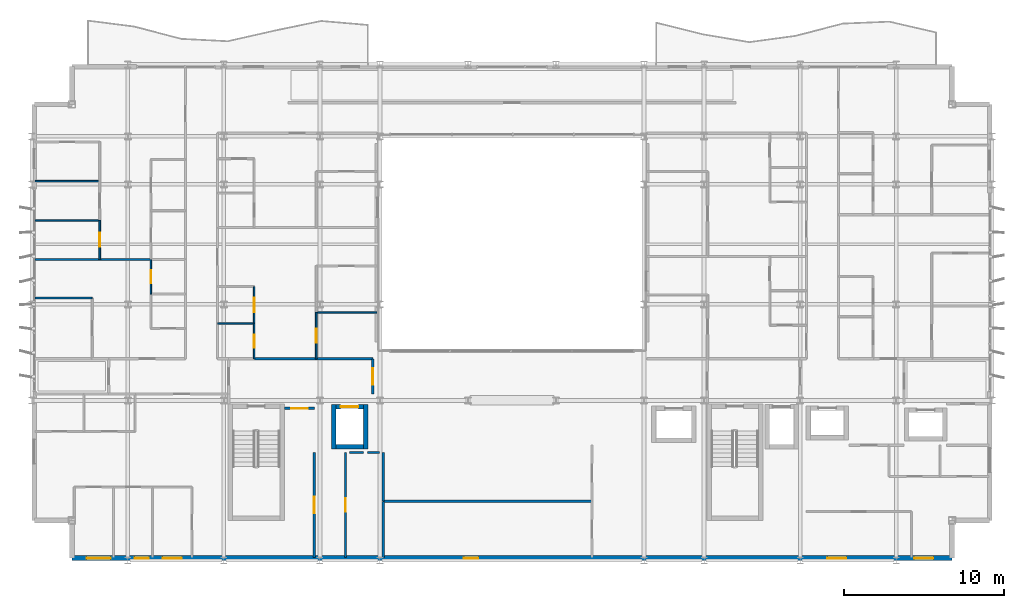
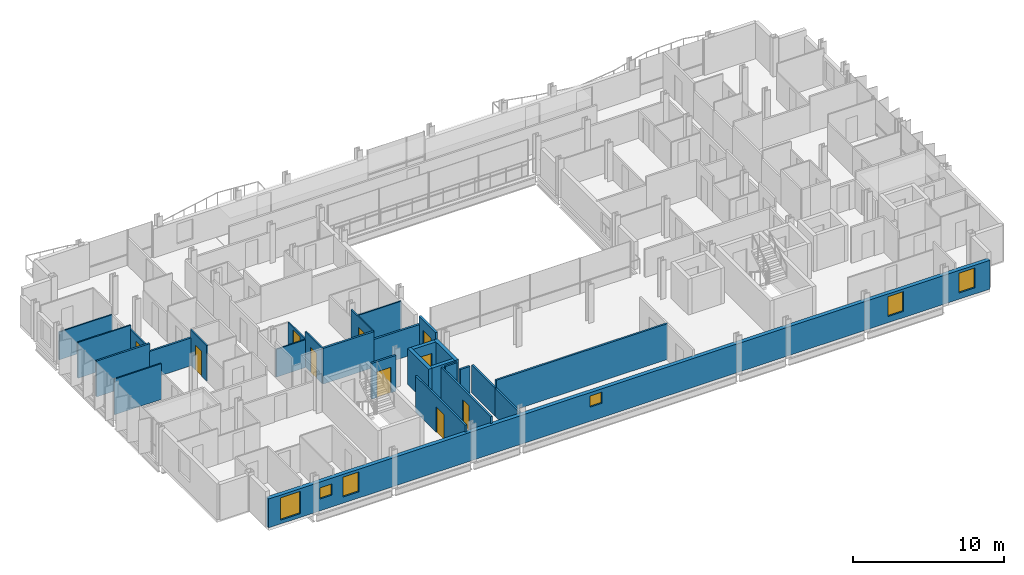
# One storey, part 28 of 38: 28 walls, 10 doors, 6 windows, 16 openings.
"""IFC4 building model written with IfcOpenShell, lengths in metres."""

from ifc_helpers import new_model, si_unit, direction, frame, frame_2d, origin, place, context, subcontext, project, spatial, rectangle, extrude, material, layer, layer_set, type_object, element, fill, save


model = new_model("IFC4")

# Units and contexts
model_context = context("Model", 3, precision=1e-05, world=origin(), true_north=direction((0.0, 1.0)))
body_context = subcontext(model_context, "Body", "Model", "MODEL_VIEW")
ifc_project = project(units=[si_unit("LENGTHUNIT", "METRE"), si_unit("AREAUNIT", "SQUARE_METRE"), si_unit("VOLUMEUNIT", "CUBIC_METRE"), si_unit("PLANEANGLEUNIT", "RADIAN"), si_unit("MASSUNIT", "GRAM", prefix="KILO")], contexts=[model_context])

# Site, building, storey
site_placement = place(None, origin())
site = spatial("IfcSite", under=ifc_project, at=site_placement, CompositionType="ELEMENT")
building_placement = place(site_placement, origin())
building = spatial("IfcBuilding", under=site, at=building_placement, Name="Brevholm Reach", CompositionType="ELEMENT")
storey_placement = place(building_placement, frame((0.0, 0.0, 128.300048828125)))
storey = spatial("IfcBuildingStorey", under=building, at=storey_placement, Name="L38", CompositionType="ELEMENT", Elevation=128.300048828125)

# Walls
ifc_material_1 = material(Name="Concrete C50/60", Category="concrete")
ifc_layer_1 = layer(ifc_material_1, 0.280029296875)
ifc_layer_set_1 = layer_set([ifc_layer_1], Name="Concrete C50/60")
wall_type_1 = type_object("IfcWallType", Name="WAL-COR-280", PredefinedType="SHEAR", material=ifc_layer_set_1)
for number, where, z_axis, x_axis, name in (
    (1, (18.85009765625, 6.9599609375, 0.0), (0.0, 0.0, 1.0), (0.0, 1.0, 0.0), "L38 Lift FFL-1 Shaft Wall W"),
    (2, (20.85009765625, 6.9599609375, 0.0), (0.0, 0.0, 1.0), (0.0, 1.0, 0.0), "L38 Lift FFL-1 Shaft Wall E"),
):
    element("IfcWall", number, at=place(storey_placement, frame(where, z_axis=z_axis, x_axis=x_axis)), inside=storey, type_object=wall_type_1, Name=name, PredefinedType="SHEAR", context=body_context, shape_type="SweptSolid", body=[
        extrude(rectangle(XDim=2.780029296875, YDim=0.280029296875, at=frame_2d((1.39013671875, 0.0))), origin(), (0.0, 0.0, 1.0), 2.8798828125),
    ])
wall_1_placement = place(storey_placement, frame((18.989990234375, 7.10009765625, 0.0), z_axis=(0.0, 0.0, 1.0), x_axis=(1.0, 0.0, 0.0)))
element("IfcWall", 3, at=wall_1_placement, inside=storey, type_object=wall_type_1, Name="L38 Lift FFL-1 Shaft Wall S", PredefinedType="SHEAR", context=body_context, shape_type="SweptSolid", body=[
    extrude(rectangle(XDim=1.719970703125, YDim=0.280029296875, at=frame_2d((0.85986328125, 0.0))), origin(), (0.0, 0.0, 1.0), 2.8798828125),
])

# Wall, opening, door
wall_2_placement = place(storey_placement, frame((18.989990234375, 9.60009765625, 0.0), z_axis=(0.0, 0.0, 1.0), x_axis=(1.0, 0.0, 0.0)))
wall_2 = element("IfcWall", 4, at=wall_2_placement, inside=storey, type_object=wall_type_1, Name="L38 Lift FFL-1 Shaft Wall N", PredefinedType="SHEAR", context=body_context, shape_type="SweptSolid", body=[
    extrude(rectangle(XDim=1.719970703125, YDim=0.280029296875, at=frame_2d((0.85986328125, 0.0))), origin(), (0.0, 0.0, 1.0), 2.8798828125),
])
opening_1_placement = place(wall_2_placement, frame((0.31005859375, 0.0, 0.0)))
opening_1 = element("IfcOpeningElement", 5, at=opening_1_placement, cuts=wall_2, Name="Opening LD-FFL-1", PredefinedType="OPENING", context=body_context, shape_type="SweptSolid", body=[
    extrude(rectangle(XDim=1.10009765625, YDim=2.06005859375, at=frame_2d((0.550048828125, 1.030029296875))), frame((0.0, 0.14990234375, 0.0), z_axis=(0.0, -1.0, 0.0), x_axis=(1.0, 0.0, 0.0)), (0.0, 0.0, 1.0), 0.300048828125),
])
ifc_material_2 = material(Name="Brushed Stainless Steel Fire-Rated Sliding Lift Door", Category="steel")
door_type_1 = type_object("IfcDoorType", Name="DOR-LFT-1100", OperationType="NOTDEFINED", PredefinedType="DOOR", material=ifc_material_2)
door_1_placement = place(opening_1_placement, origin())
door_1 = element("IfcDoor", 6, at=door_1_placement, inside=storey, type_object=door_type_1, Name="L38 Lift FFL-1 Sliding Landing Door", OperationType="SLIDING_TO_RIGHT", OverallHeight=2.06005859375, OverallWidth=1.10009765625, PredefinedType="DOOR", context=body_context, shape_type="SweptSolid", body=[
    extrude(rectangle(XDim=1.10009765625, YDim=2.06005859375, at=frame_2d((0.550048828125, 1.030029296875))), frame((0.0, 0.02490234375, 0.0), z_axis=(0.0, -1.0, 0.0), x_axis=(1.0, 0.0, 0.0)), (0.0, 0.0, 1.0), 0.050048828125),
])
fill(opening_1, door_1)

# Wall, openings, windows
ifc_material_3 = material(Name="Concrete C40/50", Category="concrete")
ifc_layer_2 = layer(ifc_material_3, 0.300048828125)
ifc_layer_set_2 = layer_set([ifc_layer_2], Name="Concrete C40/50")
wall_type_2 = type_object("IfcWallType", Name="WAL-EXT-300", PredefinedType="STANDARD", material=ifc_layer_set_2)
wall_3_placement = place(storey_placement, frame((2.5, 0.14990234375, 0.0), z_axis=(0.0, 0.0, 1.0), x_axis=(1.0, 0.0, 0.0)))
wall_3 = element("IfcWall", 7, at=wall_3_placement, inside=storey, type_object=wall_type_2, Name="L38 Facade Wall WAL-L38-S", PredefinedType="STANDARD", context=body_context, shape_type="SweptSolid", body=[
    extrude(rectangle(XDim=55.0, YDim=0.300048828125, at=frame_2d((27.5, 0.0))), origin(), (0.0, 0.0, 1.0), 2.32177734375),
])
opening_2_placement = place(wall_3_placement, frame((0.919921875, 0.0, 0.302001953125)))
opening_2 = element("IfcOpeningElement", 8, at=opening_2_placement, cuts=wall_3, Name="Opening WN-05", PredefinedType="OPENING", context=body_context, shape_type="SweptSolid", body=[
    extrude(rectangle(XDim=1.5, YDim=1.800048828125, at=frame_2d((0.75, 0.89990234375))), frame((0.0, 0.159912109375, 0.0), z_axis=(0.0, -1.0, 0.0), x_axis=(1.0, 0.0, 0.0)), (0.0, 0.0, 1.0), 0.320068359375),
])
opening_3_placement = place(wall_3_placement, frame((24.5, 0.0, 1.14990234375)))
opening_3 = element("IfcOpeningElement", 9, at=opening_3_placement, cuts=wall_3, Name="Opening WN-09", PredefinedType="OPENING", context=body_context, shape_type="SweptSolid", body=[
    extrude(rectangle(XDim=0.89990234375, YDim=0.89990234375, at=frame_2d((0.449951171875, 0.449951171875))), frame((0.0, 0.159912109375, 0.0), z_axis=(0.0, -1.0, 0.0), x_axis=(1.0, 0.0, 0.0)), (0.0, 0.0, 1.0), 0.320068359375),
])
opening_4_placement = place(wall_3_placement, frame((47.199951171875, 0.0, 0.501953125)))
opening_4 = element("IfcOpeningElement", 10, at=opening_4_placement, cuts=wall_3, Name="Opening WN-08", PredefinedType="OPENING", context=body_context, shape_type="SweptSolid", body=[
    extrude(rectangle(XDim=1.199951171875, YDim=1.60009765625, at=frame_2d((0.60009765625, 0.800048828125))), frame((0.0, 0.159912109375, 0.0), z_axis=(0.0, -1.0, 0.0), x_axis=(1.0, 0.0, 0.0)), (0.0, 0.0, 1.0), 0.320068359375),
])
opening_5_placement = place(wall_3_placement, frame((52.6298828125, 0.0, 0.501953125)))
opening_5 = element("IfcOpeningElement", 11, at=opening_5_placement, cuts=wall_3, Name="Opening WN-08", PredefinedType="OPENING", context=body_context, shape_type="SweptSolid", body=[
    extrude(rectangle(XDim=1.199951171875, YDim=1.60009765625, at=frame_2d((0.60009765625, 0.800048828125))), frame((0.0, 0.159912109375, 0.0), z_axis=(0.0, -1.0, 0.0), x_axis=(1.0, 0.0, 0.0)), (0.0, 0.0, 1.0), 0.320068359375),
])
opening_6_placement = place(wall_3_placement, frame((3.919189453125, 0.0, 0.949951171875)))
opening_6 = element("IfcOpeningElement", 12, at=opening_6_placement, cuts=wall_3, Name="Opening WN-09", PredefinedType="OPENING", context=body_context, shape_type="SweptSolid", body=[
    extrude(rectangle(XDim=0.89990234375, YDim=0.89990234375, at=frame_2d((0.449951171875, 0.449951171875))), frame((0.0, 0.159912109375, 0.0), z_axis=(0.0, -1.0, 0.0), x_axis=(1.0, 0.0, 0.0)), (0.0, 0.0, 1.0), 0.320068359375),
])
opening_7_placement = place(wall_3_placement, frame((5.675048828125, 0.0, 0.501953125)))
opening_7 = element("IfcOpeningElement", 13, at=opening_7_placement, cuts=wall_3, Name="Opening WN-08", PredefinedType="OPENING", context=body_context, shape_type="SweptSolid", body=[
    extrude(rectangle(XDim=1.199951171875, YDim=1.60009765625, at=frame_2d((0.60009765625, 0.800048828125))), frame((0.0, 0.159912109375, 0.0), z_axis=(0.0, -1.0, 0.0), x_axis=(1.0, 0.0, 0.0)), (0.0, 0.0, 1.0), 0.320068359375),
])
ifc_material_4 = material(Name="Dark Anodised Aluminium and Solar-Control IGU Glass", Category="aluminium")
window_type_1 = type_object("IfcWindowType", Name="WIN-POR-0900", PartitioningType="SINGLE_PANEL", PredefinedType="WINDOW", material=ifc_material_4)
window_1_placement = place(opening_3_placement, origin())
window_1 = element("IfcWindow", 14, at=window_1_placement, inside=storey, type_object=window_type_1, Name="L38 Window WIN-L38-S-POR", OverallHeight=0.89990234375, OverallWidth=0.89990234375, PartitioningType="SINGLE_PANEL", PredefinedType="WINDOW", context=body_context, shape_type="SweptSolid", body=[
    extrude(rectangle(XDim=0.89990234375, YDim=0.89990234375, at=frame_2d((0.449951171875, 0.449951171875))), frame((0.0, 0.030029296875, 0.0), z_axis=(0.0, -1.0, 0.0), x_axis=(1.0, 0.0, 0.0)), (0.0, 0.0, 1.0), 0.06005859375),
])
fill(opening_3, window_1)
window_2_placement = place(opening_6_placement, origin())
window_2 = element("IfcWindow", 15, at=window_2_placement, inside=storey, type_object=window_type_1, Name="L38 Bedroom Window 043", OverallHeight=0.89990234375, OverallWidth=0.89990234375, PartitioningType="SINGLE_PANEL", PredefinedType="WINDOW", context=body_context, shape_type="SweptSolid", body=[
    extrude(rectangle(XDim=0.89990234375, YDim=0.89990234375, at=frame_2d((0.449951171875, 0.449951171875))), frame((0.0, 0.030029296875, 0.0), z_axis=(0.0, -1.0, 0.0), x_axis=(1.0, 0.0, 0.0)), (0.0, 0.0, 1.0), 0.06005859375),
])
fill(opening_6, window_2)
ifc_material_5 = material(Name="Dark Anodised Aluminium and Solar-Control IGU Glass", Category="aluminium")
window_type_2 = type_object("IfcWindowType", Name="WIN-RES-1200", PartitioningType="SINGLE_PANEL", PredefinedType="WINDOW", material=ifc_material_5)
window_3_placement = place(opening_4_placement, origin())
window_3 = element("IfcWindow", 16, at=window_3_placement, inside=storey, type_object=window_type_2, Name="L38 Window WIN-L38-S-E1", OverallHeight=1.60009765625, OverallWidth=1.199951171875, PartitioningType="SINGLE_PANEL", PredefinedType="WINDOW", context=body_context, shape_type="SweptSolid", body=[
    extrude(rectangle(XDim=1.199951171875, YDim=1.60009765625, at=frame_2d((0.60009765625, 0.800048828125))), frame((0.0, 0.030029296875, 0.0), z_axis=(0.0, -1.0, 0.0), x_axis=(1.0, 0.0, 0.0)), (0.0, 0.0, 1.0), 0.06005859375),
])
fill(opening_4, window_3)
window_4_placement = place(opening_5_placement, origin())
window_4 = element("IfcWindow", 17, at=window_4_placement, inside=storey, type_object=window_type_2, Name="L38 Window WIN-L38-S-E2", OverallHeight=1.60009765625, OverallWidth=1.199951171875, PartitioningType="SINGLE_PANEL", PredefinedType="WINDOW", context=body_context, shape_type="SweptSolid", body=[
    extrude(rectangle(XDim=1.199951171875, YDim=1.60009765625, at=frame_2d((0.60009765625, 0.800048828125))), frame((0.0, 0.030029296875, 0.0), z_axis=(0.0, -1.0, 0.0), x_axis=(1.0, 0.0, 0.0)), (0.0, 0.0, 1.0), 0.06005859375),
])
fill(opening_5, window_4)
window_5_placement = place(opening_7_placement, origin())
window_5 = element("IfcWindow", 18, at=window_5_placement, inside=storey, type_object=window_type_2, Name="L38 Bedroom Window 044", OverallHeight=1.60009765625, OverallWidth=1.199951171875, PartitioningType="SINGLE_PANEL", PredefinedType="WINDOW", context=body_context, shape_type="SweptSolid", body=[
    extrude(rectangle(XDim=1.199951171875, YDim=1.60009765625, at=frame_2d((0.60009765625, 0.800048828125))), frame((0.0, 0.030029296875, 0.0), z_axis=(0.0, -1.0, 0.0), x_axis=(1.0, 0.0, 0.0)), (0.0, 0.0, 1.0), 0.06005859375),
])
fill(opening_7, window_5)
ifc_material_6 = material(Name="Dark Anodised Aluminium and Solar-Control IGU Glass", Category="aluminium")
window_type_3 = type_object("IfcWindowType", Name="WIN-RES-1500", PartitioningType="SINGLE_PANEL", PredefinedType="WINDOW", material=ifc_material_6)
window_6_placement = place(opening_2_placement, origin())
window_6 = element("IfcWindow", 19, at=window_6_placement, inside=storey, type_object=window_type_3, Name="L38 Window WIN-L38-S-W1", OverallHeight=1.800048828125, OverallWidth=1.5, PartitioningType="SINGLE_PANEL", PredefinedType="WINDOW", context=body_context, shape_type="SweptSolid", body=[
    extrude(rectangle(XDim=1.5, YDim=1.800048828125, at=frame_2d((0.75, 0.89990234375))), frame((0.0, 0.030029296875, 0.0), z_axis=(0.0, -1.0, 0.0), x_axis=(1.0, 0.0, 0.0)), (0.0, 0.0, 1.0), 0.06005859375),
])
fill(opening_2, window_6)

# Wall, opening, door
ifc_material_7 = material(Name="Moisture-Resistant Acoustic Gypsum Stud Partition 100 mm", Category="gypsum")
ifc_layer_3 = layer(ifc_material_7, 0.10009765625)
ifc_layer_set_3 = layer_set([ifc_layer_3], Name="Moisture-Resistant Acoustic Gypsum Stud Partition 100 mm")
wall_type_3 = type_object("IfcWallType", Name="WAL-PRT-100", PredefinedType="PARTITIONING", material=ifc_layer_set_3)
wall_4_placement = place(storey_placement, frame((7.43798828125, 16.64990234375, 0.0), z_axis=(0.0, 0.0, 1.0), x_axis=(0.0, 1.0, 0.0)))
wall_4 = element("IfcWall", 20, at=wall_4_placement, inside=storey, type_object=wall_type_3, Name="L38 Internal Partition 085", PredefinedType="PARTITIONING", context=body_context, shape_type="SweptSolid", body=[
    extrude(rectangle(XDim=2.150146484375, YDim=0.10009765625, at=frame_2d((1.0751953125, 0.0))), origin(), (0.0, 0.0, 1.0), 2.8798828125),
])
opening_8_placement = place(wall_4_placement, frame((0.6650390625, 0.0, 0.0)))
opening_8 = element("IfcOpeningElement", 21, at=opening_8_placement, cuts=wall_4, Name="Opening ID-03", PredefinedType="OPENING", context=body_context, shape_type="SweptSolid", body=[
    extrude(rectangle(XDim=0.820068359375, YDim=2.02001953125, at=frame_2d((0.41015625, 1.010009765625))), frame((0.0, 0.06005859375, 0.0), z_axis=(0.0, -1.0, 0.0), x_axis=(1.0, 0.0, 0.0)), (0.0, 0.0, 1.0), 0.1201171875),
])
ifc_material_8 = material(Name="Moisture-Resistant Painted Timber Internal Bathroom Door", Category="wood")
door_type_2 = type_object("IfcDoorType", Name="DOR-BATH-820", OperationType="NOTDEFINED", PredefinedType="DOOR", material=ifc_material_8)
door_2_placement = place(opening_8_placement, origin())
door_2 = element("IfcDoor", 22, at=door_2_placement, inside=storey, type_object=door_type_2, Name="L38 Internal Door 030", OperationType="SINGLE_SWING_RIGHT", OverallHeight=2.02001953125, OverallWidth=0.820068359375, PredefinedType="DOOR", context=body_context, shape_type="SweptSolid", body=[
    extrude(rectangle(XDim=0.820068359375, YDim=2.02001953125, at=frame_2d((0.41015625, 1.010009765625))), frame((0.0, 0.02490234375, 0.0), z_axis=(0.0, -1.0, 0.0), x_axis=(1.0, 0.0, 0.0)), (0.0, 0.0, 1.0), 0.050048828125),
])
fill(opening_8, door_2)

# Walls
wall_5_placement = place(storey_placement, frame((0.199951171875, 16.39990234375, 0.0), z_axis=(0.0, 0.0, 1.0), x_axis=(1.0, 0.0, 0.0)))
element("IfcWall", 23, at=wall_5_placement, inside=storey, type_object=wall_type_3, Name="L38 Internal Partition 090", PredefinedType="PARTITIONING", context=body_context, shape_type="SweptSolid", body=[
    extrude(rectangle(XDim=3.572021484375, YDim=0.10009765625, at=frame_2d((1.7861328125, 0.0))), origin(), (0.0, 0.0, 1.0), 2.8798828125),
])
wall_6_placement = place(storey_placement, frame((0.199951171875, 21.25, 0.0), z_axis=(0.0, 0.0, 1.0), x_axis=(1.0, 0.0, 0.0)))
element("IfcWall", 24, at=wall_6_placement, inside=storey, type_object=wall_type_3, Name="L38 Internal Partition 097", PredefinedType="PARTITIONING", context=body_context, shape_type="SweptSolid", body=[
    extrude(rectangle(XDim=4.0419921875, YDim=0.10009765625, at=frame_2d((2.02099609375, 0.0))), origin(), (0.0, 0.0, 1.0), 2.8798828125),
])

# Wall, opening, door
wall_7_placement = place(storey_placement, frame((4.241943359375, 18.803955078125, 0.0), z_axis=(0.0, 0.0, 1.0), x_axis=(0.0, 1.0, 0.0)))
wall_7 = element("IfcWall", 25, at=wall_7_placement, inside=storey, type_object=wall_type_3, Name="L38 Internal Partition 098", PredefinedType="PARTITIONING", context=body_context, shape_type="SweptSolid", body=[
    extrude(rectangle(XDim=2.446044921875, YDim=0.10009765625, at=frame_2d((1.22314453125, 0.0))), origin(), (0.0, 0.0, 1.0), 2.551513671875),
])
opening_9_placement = place(wall_7_placement, frame((0.782958984375, 0.0, 0.0)))
opening_9 = element("IfcOpeningElement", 26, at=opening_9_placement, cuts=wall_7, Name="Opening ID-01", PredefinedType="OPENING", context=body_context, shape_type="SweptSolid", body=[
    extrude(rectangle(XDim=0.8798828125, YDim=2.0400390625, at=frame_2d((0.43994140625, 1.02001953125))), frame((0.0, 0.06005859375, 0.0), z_axis=(0.0, -1.0, 0.0), x_axis=(1.0, 0.0, 0.0)), (0.0, 0.0, 1.0), 0.1201171875),
])
ifc_material_9 = material(Name="Lacquered Ash Solid-Core Acoustic Internal Door", Category="timber")
door_type_3 = type_object("IfcDoorType", Name="DOR-INT-880", OperationType="NOTDEFINED", PredefinedType="DOOR", material=ifc_material_9)
door_3_placement = place(opening_9_placement, origin())
door_3 = element("IfcDoor", 27, at=door_3_placement, inside=storey, type_object=door_type_3, Name="L38 Internal Door 035", OperationType="SINGLE_SWING_LEFT", OverallHeight=2.0400390625, OverallWidth=0.8798828125, PredefinedType="DOOR", context=body_context, shape_type="SweptSolid", body=[
    extrude(rectangle(XDim=0.8798828125, YDim=2.0400390625, at=frame_2d((0.43994140625, 1.02001953125))), frame((0.0, 0.02490234375, 0.0), z_axis=(0.0, -1.0, 0.0), x_axis=(1.0, 0.0, 0.0)), (0.0, 0.0, 1.0), 0.050048828125),
])
fill(opening_9, door_3)

# Walls
wall_8_placement = place(storey_placement, frame((0.199951171875, 23.699951171875, 0.0), z_axis=(0.0, 0.0, 1.0), x_axis=(1.0, 0.0, 0.0)))
element("IfcWall", 28, at=wall_8_placement, inside=storey, type_object=wall_type_3, Name="L38 Internal Partition 099", PredefinedType="PARTITIONING", context=body_context, shape_type="SweptSolid", body=[
    extrude(rectangle(XDim=4.0419921875, YDim=0.10009765625, at=frame_2d((2.02099609375, 0.0))), origin(), (0.0, 0.0, 1.0), 2.24267578125),
])
wall_9_placement = place(storey_placement, frame((11.60400390625, 14.81396484375, 0.0), z_axis=(0.0, 0.0, 1.0), x_axis=(1.0, 0.0, 0.0)))
element("IfcWall", 29, at=wall_9_placement, inside=storey, type_object=wall_type_3, Name="L38 Internal Partition 103", PredefinedType="PARTITIONING", context=body_context, shape_type="SweptSolid", body=[
    extrude(rectangle(XDim=2.284912109375, YDim=0.10009765625, at=frame_2d((1.142578125, 0.0))), origin(), (0.0, 0.0, 1.0), 2.24267578125),
])

# Wall, opening, door
wall_10_placement = place(storey_placement, frame((13.888916015625, 12.60400390625, 0.0), z_axis=(0.0, 0.0, 1.0), x_axis=(0.0, 1.0, 0.0)))
wall_10 = element("IfcWall", 30, at=wall_10_placement, inside=storey, type_object=wall_type_3, Name="L38 Internal Partition 104", PredefinedType="PARTITIONING", context=body_context, shape_type="SweptSolid", body=[
    extrude(rectangle(XDim=2.2099609375, YDim=0.10009765625, at=frame_2d((1.10498046875, 0.0))), origin(), (0.0, 0.0, 1.0), 2.8798828125),
])
opening_10_placement = place(wall_10_placement, frame((0.695068359375, 0.0, 0.0)))
opening_10 = element("IfcOpeningElement", 31, at=opening_10_placement, cuts=wall_10, Name="Opening ID-03", PredefinedType="OPENING", context=body_context, shape_type="SweptSolid", body=[
    extrude(rectangle(XDim=0.820068359375, YDim=2.02001953125, at=frame_2d((0.41015625, 1.010009765625))), frame((0.0, 0.06005859375, 0.0), z_axis=(0.0, -1.0, 0.0), x_axis=(1.0, 0.0, 0.0)), (0.0, 0.0, 1.0), 0.1201171875),
])
door_4_placement = place(opening_10_placement, origin())
door_4 = element("IfcDoor", 32, at=door_4_placement, inside=storey, type_object=door_type_2, Name="L38 Internal Door 038", OperationType="SINGLE_SWING_RIGHT", OverallHeight=2.02001953125, OverallWidth=0.820068359375, PredefinedType="DOOR", context=body_context, shape_type="SweptSolid", body=[
    extrude(rectangle(XDim=0.820068359375, YDim=2.02001953125, at=frame_2d((0.41015625, 1.010009765625))), frame((0.0, 0.02490234375, 0.0), z_axis=(0.0, -1.0, 0.0), x_axis=(1.0, 0.0, 0.0)), (0.0, 0.0, 1.0), 0.050048828125),
])
fill(opening_10, door_4)

wall_11_placement = place(storey_placement, frame((13.888916015625, 14.818115234375, 0.0), z_axis=(0.0, 0.0, 1.0), x_axis=(0.0, 1.0, 0.0)))
wall_11 = element("IfcWall", 33, at=wall_11_placement, inside=storey, type_object=wall_type_3, Name="L38 Internal Partition 105", PredefinedType="PARTITIONING", context=body_context, shape_type="SweptSolid", body=[
    extrude(rectangle(XDim=2.2919921875, YDim=0.10009765625, at=frame_2d((1.14599609375, 0.0))), origin(), (0.0, 0.0, 1.0), 2.24267578125),
])
opening_11_placement = place(wall_11_placement, frame((0.7060546875, 0.0, 0.0)))
opening_11 = element("IfcOpeningElement", 34, at=opening_11_placement, cuts=wall_11, Name="Opening ID-01", PredefinedType="OPENING", context=body_context, shape_type="SweptSolid", body=[
    extrude(rectangle(XDim=0.8798828125, YDim=2.0400390625, at=frame_2d((0.43994140625, 1.02001953125))), frame((0.0, 0.06005859375, 0.0), z_axis=(0.0, -1.0, 0.0), x_axis=(1.0, 0.0, 0.0)), (0.0, 0.0, 1.0), 0.1201171875),
])
door_5_placement = place(opening_11_placement, origin())
door_5 = element("IfcDoor", 35, at=door_5_placement, inside=storey, type_object=door_type_3, Name="L38 Internal Door 039", OperationType="SINGLE_SWING_LEFT", OverallHeight=2.0400390625, OverallWidth=0.8798828125, PredefinedType="DOOR", context=body_context, shape_type="SweptSolid", body=[
    extrude(rectangle(XDim=0.8798828125, YDim=2.0400390625, at=frame_2d((0.43994140625, 1.02001953125))), frame((0.0, 0.02490234375, 0.0), z_axis=(0.0, -1.0, 0.0), x_axis=(1.0, 0.0, 0.0)), (0.0, 0.0, 1.0), 0.050048828125),
])
fill(opening_11, door_5)

# Wall
wall_12_placement = place(storey_placement, frame((17.76904296875, 15.5, 0.0), z_axis=(0.0, 0.0, 1.0), x_axis=(1.0, 0.0, 0.0)))
element("IfcWall", 36, at=wall_12_placement, inside=storey, type_object=wall_type_3, Name="L38 Internal Partition 107", PredefinedType="PARTITIONING", context=body_context, shape_type="SweptSolid", body=[
    extrude(rectangle(XDim=3.781005859375, YDim=0.10009765625, at=frame_2d((1.890625, 0.0))), origin(), (0.0, 0.0, 1.0), 2.24267578125),
])

# Wall, opening, door
wall_13_placement = place(storey_placement, frame((17.76904296875, 12.60400390625, 0.0), z_axis=(0.0, 0.0, 1.0), x_axis=(0.0, 1.0, 0.0)))
wall_13 = element("IfcWall", 37, at=wall_13_placement, inside=storey, type_object=wall_type_3, Name="L38 Internal Partition 108", PredefinedType="PARTITIONING", context=body_context, shape_type="SweptSolid", body=[
    extrude(rectangle(XDim=2.89599609375, YDim=0.10009765625, at=frame_2d((1.447998046875, 0.0))), origin(), (0.0, 0.0, 1.0), 2.8798828125),
])
opening_12_placement = place(wall_13_placement, frame((1.008056640625, 0.0, 0.0)))
opening_12 = element("IfcOpeningElement", 38, at=opening_12_placement, cuts=wall_13, Name="Opening ID-01", PredefinedType="OPENING", context=body_context, shape_type="SweptSolid", body=[
    extrude(rectangle(XDim=0.8798828125, YDim=2.0400390625, at=frame_2d((0.43994140625, 1.02001953125))), frame((0.0, 0.06005859375, 0.0), z_axis=(0.0, -1.0, 0.0), x_axis=(1.0, 0.0, 0.0)), (0.0, 0.0, 1.0), 0.1201171875),
])
door_6_placement = place(opening_12_placement, origin())
door_6 = element("IfcDoor", 39, at=door_6_placement, inside=storey, type_object=door_type_3, Name="L38 Internal Door 040", OperationType="SINGLE_SWING_RIGHT", OverallHeight=2.0400390625, OverallWidth=0.8798828125, PredefinedType="DOOR", context=body_context, shape_type="SweptSolid", body=[
    extrude(rectangle(XDim=0.8798828125, YDim=2.0400390625, at=frame_2d((0.43994140625, 1.02001953125))), frame((0.0, 0.02490234375, 0.0), z_axis=(0.0, -1.0, 0.0), x_axis=(1.0, 0.0, 0.0)), (0.0, 0.0, 1.0), 0.050048828125),
])
fill(opening_12, door_6)

# Walls
ifc_material_10 = material(Name="Twin-Stud Acoustic Fire-Rated Gypsum Partition 140 mm", Category="gypsum")
ifc_layer_4 = layer(ifc_material_10, 0.139892578125)
ifc_layer_set_4 = layer_set([ifc_layer_4], Name="Twin-Stud Acoustic Fire-Rated Gypsum Partition 140 mm")
wall_type_4 = type_object("IfcWallType", Name="WAL-PRT-140", PredefinedType="PARTITIONING", material=ifc_layer_set_4)
wall_14_placement = place(storey_placement, frame((21.949951171875, 3.699951171875, 0.0), z_axis=(0.0, 0.0, 1.0), x_axis=(1.0, 0.0, 0.0)))
element("IfcWall", 40, at=wall_14_placement, inside=storey, type_object=wall_type_4, Name="L38 Internal Partition 003", PredefinedType="PARTITIONING", context=body_context, shape_type="SweptSolid", body=[
    extrude(rectangle(XDim=13.046142578125, YDim=0.139892578125, at=frame_2d((6.52294921875, 0.0))), origin(), (0.0, 0.0, 1.0), 2.8798828125),
])
wall_15_placement = place(storey_placement, frame((21.949951171875, 0.179931640625, 0.0), z_axis=(0.0, 0.0, 1.0), x_axis=(0.0, 1.0, 0.0)))
element("IfcWall", 41, at=wall_15_placement, inside=storey, type_object=wall_type_4, Name="L38 Internal Partition 004", PredefinedType="PARTITIONING", context=body_context, shape_type="SweptSolid", body=[
    extrude(rectangle(XDim=3.52001953125, YDim=0.139892578125, at=frame_2d((1.760009765625, 0.0))), origin(), (0.0, 0.0, 1.0), 2.24267578125),
])
wall_16_placement = place(storey_placement, frame((21.949951171875, 3.7041015625, 0.0), z_axis=(0.0, 0.0, 1.0), x_axis=(0.0, 1.0, 0.0)))
element("IfcWall", 42, at=wall_16_placement, inside=storey, type_object=wall_type_4, Name="L38 Internal Partition 005", PredefinedType="PARTITIONING", context=body_context, shape_type="SweptSolid", body=[
    extrude(rectangle(XDim=3.05712890625, YDim=0.139892578125, at=frame_2d((1.528564453125, 0.0))), origin(), (0.0, 0.0, 1.0), 2.24267578125),
])

# Wall, opening, door
wall_17_placement = place(storey_placement, frame((17.64990234375, 0.179931640625, 0.0), z_axis=(0.0, 0.0, 1.0), x_axis=(0.0, 1.0, 0.0)))
wall_17 = element("IfcWall", 43, at=wall_17_placement, inside=storey, type_object=wall_type_4, Name="L38 Internal Partition 006", PredefinedType="PARTITIONING", context=body_context, shape_type="SweptSolid", body=[
    extrude(rectangle(XDim=6.581298828125, YDim=0.139892578125, at=frame_2d((3.29052734375, 0.0))), origin(), (0.0, 0.0, 1.0), 2.8798828125),
])
opening_13_placement = place(wall_17_placement, frame((2.765625, 0.0, 0.0)))
opening_13 = element("IfcOpeningElement", 44, at=opening_13_placement, cuts=wall_17, Name="Opening FD-01", PredefinedType="OPENING", context=body_context, shape_type="SweptSolid", body=[
    extrude(rectangle(XDim=1.050048828125, YDim=2.06005859375, at=frame_2d((0.52490234375, 1.030029296875))), frame((0.0, 0.079833984375, 0.0), z_axis=(0.0, -1.0, 0.0), x_axis=(1.0, 0.0, 0.0)), (0.0, 0.0, 1.0), 0.159912109375),
])
ifc_material_11 = material(Name="Hardwood-Lipped Steel-Core Fire and Smoke Door", Category="steel")
door_type_4 = type_object("IfcDoorType", Name="DOR-INT-FD60S", OperationType="NOTDEFINED", PredefinedType="DOOR", material=ifc_material_11)
door_7_placement = place(opening_13_placement, origin())
door_7 = element("IfcDoor", 45, at=door_7_placement, inside=storey, type_object=door_type_4, Name="L38 Internal Door 003", OperationType="SINGLE_SWING_LEFT", OverallHeight=2.06005859375, OverallWidth=1.050048828125, PredefinedType="DOOR", context=body_context, shape_type="SweptSolid", body=[
    extrude(rectangle(XDim=1.050048828125, YDim=2.06005859375, at=frame_2d((0.52490234375, 1.030029296875))), frame((0.0, 0.02490234375, 0.0), z_axis=(0.0, -1.0, 0.0), x_axis=(1.0, 0.0, 0.0)), (0.0, 0.0, 1.0), 0.050048828125),
])
fill(opening_13, door_7)

wall_18_placement = place(storey_placement, frame((19.60009765625, 0.179931640625, 0.0), z_axis=(0.0, 0.0, 1.0), x_axis=(0.0, 1.0, 0.0)))
wall_18 = element("IfcWall", 46, at=wall_18_placement, inside=storey, type_object=wall_type_4, Name="L38 Internal Partition 008", PredefinedType="PARTITIONING", context=body_context, shape_type="SweptSolid", body=[
    extrude(rectangle(XDim=6.570068359375, YDim=0.139892578125, at=frame_2d((3.28515625, 0.0))), origin(), (0.0, 0.0, 1.0), 2.8798828125),
])
opening_14_placement = place(wall_18_placement, frame((2.875, 0.0, 0.0)))
opening_14 = element("IfcOpeningElement", 47, at=opening_14_placement, cuts=wall_18, Name="Opening ID-02", PredefinedType="OPENING", context=body_context, shape_type="SweptSolid", body=[
    extrude(rectangle(XDim=0.820068359375, YDim=2.02001953125, at=frame_2d((0.41015625, 1.010009765625))), frame((0.0, 0.079833984375, 0.0), z_axis=(0.0, -1.0, 0.0), x_axis=(1.0, 0.0, 0.0)), (0.0, 0.0, 1.0), 0.159912109375),
])
ifc_material_12 = material(Name="Moisture-Resistant Painted Timber Fire-Rated Riser and Service Door", Category="wood")
door_type_5 = type_object("IfcDoorType", Name="DOR-SRV-820", OperationType="NOTDEFINED", PredefinedType="DOOR", material=ifc_material_12)
door_8_placement = place(opening_14_placement, origin())
door_8 = element("IfcDoor", 48, at=door_8_placement, inside=storey, type_object=door_type_5, Name="L38 Access Door 058", OperationType="SINGLE_SWING_RIGHT", OverallHeight=2.02001953125, OverallWidth=0.820068359375, PredefinedType="DOOR", context=body_context, shape_type="SweptSolid", body=[
    extrude(rectangle(XDim=0.820068359375, YDim=2.02001953125, at=frame_2d((0.41015625, 1.010009765625))), frame((0.0, 0.02490234375, 0.0), z_axis=(0.0, -1.0, 0.0), x_axis=(1.0, 0.0, 0.0)), (0.0, 0.0, 1.0), 0.050048828125),
])
fill(opening_14, door_8)

# Walls
wall_19_placement = place(storey_placement, frame((0.199951171875, 18.800048828125, 0.0), z_axis=(0.0, 0.0, 1.0), x_axis=(1.0, 0.0, 0.0)))
element("IfcWall", 49, at=wall_19_placement, inside=storey, type_object=wall_type_4, Name="L38 Internal Partition 091", PredefinedType="PARTITIONING", context=body_context, shape_type="SweptSolid", body=[
    extrude(rectangle(XDim=4.053466796875, YDim=0.139892578125, at=frame_2d((2.02685546875, 0.0))), origin(), (0.0, 0.0, 1.0), 2.8798828125),
])
wall_20_placement = place(storey_placement, frame((4.234619140625, 18.800048828125, 0.0), z_axis=(0.0, 0.0, 1.0), x_axis=(1.0, 0.0, 0.0)))
element("IfcWall", 50, at=wall_20_placement, inside=storey, type_object=wall_type_4, Name="L38 Internal Partition 092", PredefinedType="PARTITIONING", context=body_context, shape_type="SweptSolid", body=[
    extrude(rectangle(XDim=3.199462890625, YDim=0.139892578125, at=frame_2d((1.599609375, 0.0))), origin(), (0.0, 0.0, 1.0), 2.24267578125),
])
wall_21_placement = place(storey_placement, frame((20.9658203125, 6.75, 0.0), z_axis=(0.0, 0.0, 1.0), x_axis=(1.0, 0.0, 0.0)))
element("IfcWall", 51, at=wall_21_placement, inside=storey, type_object=wall_type_4, Name="L38 Internal Partition 152", PredefinedType="PARTITIONING", context=body_context, shape_type="SweptSolid", body=[
    extrude(rectangle(XDim=0.744140625, YDim=0.139892578125, at=frame_2d((0.3720703125, 0.0))), origin(), (0.0, 0.0, 1.0), 2.24267578125),
])
wall_22_placement = place(storey_placement, frame((19.840087890625, 6.75, 0.0), z_axis=(0.0, 0.0, 1.0), x_axis=(1.0, 0.0, 0.0)))
element("IfcWall", 52, at=wall_22_placement, inside=storey, type_object=wall_type_4, Name="L38 Internal Partition 153", PredefinedType="PARTITIONING", context=body_context, shape_type="SweptSolid", body=[
    extrude(rectangle(XDim=0.89404296875, YDim=0.139892578125, at=frame_2d((0.447021484375, 0.0))), origin(), (0.0, 0.0, 1.0), 2.8798828125),
])

# Wall, opening, door
ifc_material_13 = material(Name="Twin-Frame Fire-Rated Gypsum Board and Mineral Wool 160 mm", Category="gypsum")
ifc_layer_5 = layer(ifc_material_13, 0.159912109375)
ifc_layer_set_5 = layer_set([ifc_layer_5], Name="Twin-Frame Fire-Rated Gypsum Board and Mineral Wool 160 mm")
wall_type_5 = type_object("IfcWallType", Name="WAL-PRT-160", PredefinedType="PARTITIONING", material=ifc_layer_set_5)
wall_23_placement = place(storey_placement, frame((15.800048828125, 9.5, 0.0), z_axis=(0.0, 0.0, 1.0), x_axis=(1.0, 0.0, 0.0)))
wall_23 = element("IfcWall", 53, at=wall_23_placement, inside=storey, type_object=wall_type_5, Name="L38 Internal Partition 007", PredefinedType="PARTITIONING", context=body_context, shape_type="SweptSolid", body=[
    extrude(rectangle(XDim=1.849853515625, YDim=0.159912109375, at=frame_2d((0.9248046875, 0.0))), origin(), (0.0, 0.0, 1.0), 2.8798828125),
])
opening_15_placement = place(wall_23_placement, frame((0.39990234375, 0.0, 0.0)))
opening_15 = element("IfcOpeningElement", 54, at=opening_15_placement, cuts=wall_23, Name="Opening FD-01", PredefinedType="OPENING", context=body_context, shape_type="SweptSolid", body=[
    extrude(rectangle(XDim=1.050048828125, YDim=2.06005859375, at=frame_2d((0.52490234375, 1.030029296875))), frame((0.0, 0.08984375, 0.0), z_axis=(0.0, -1.0, 0.0), x_axis=(1.0, 0.0, 0.0)), (0.0, 0.0, 1.0), 0.179931640625),
])
door_9_placement = place(opening_15_placement, origin())
door_9 = element("IfcDoor", 55, at=door_9_placement, inside=storey, type_object=door_type_4, Name="L38 Internal Door 004", OperationType="SINGLE_SWING_RIGHT", OverallHeight=2.06005859375, OverallWidth=1.050048828125, PredefinedType="DOOR", context=body_context, shape_type="SweptSolid", body=[
    extrude(rectangle(XDim=1.050048828125, YDim=2.06005859375, at=frame_2d((0.52490234375, 1.030029296875))), frame((0.0, 0.02490234375, 0.0), z_axis=(0.0, -1.0, 0.0), x_axis=(1.0, 0.0, 0.0)), (0.0, 0.0, 1.0), 0.050048828125),
])
fill(opening_15, door_9)

wall_24_placement = place(storey_placement, frame((21.300048828125, 10.388671875, 0.0), z_axis=(0.0, 0.0, 1.0), x_axis=(0.0, 1.0, 0.0)))
wall_24 = element("IfcWall", 56, at=wall_24_placement, inside=storey, type_object=wall_type_5, Name="L38 Internal Partition 015", PredefinedType="PARTITIONING", context=body_context, shape_type="SweptSolid", body=[
    extrude(rectangle(XDim=2.21142578125, YDim=0.159912109375, at=frame_2d((1.105712890625, 0.0))), origin(), (0.0, 0.0, 1.0), 2.8798828125),
])
opening_16_placement = place(wall_24_placement, frame((0.58056640625, 0.0, 0.0)))
opening_16 = element("IfcOpeningElement", 57, at=opening_16_placement, cuts=wall_24, Name="Opening FD-01", PredefinedType="OPENING", context=body_context, shape_type="SweptSolid", body=[
    extrude(rectangle(XDim=1.050048828125, YDim=2.06005859375, at=frame_2d((0.52490234375, 1.030029296875))), frame((0.0, 0.08984375, 0.0), z_axis=(0.0, -1.0, 0.0), x_axis=(1.0, 0.0, 0.0)), (0.0, 0.0, 1.0), 0.179931640625),
])
door_10_placement = place(opening_16_placement, origin())
door_10 = element("IfcDoor", 58, at=door_10_placement, inside=storey, type_object=door_type_4, Name="L38 Internal Door 009", OperationType="SINGLE_SWING_LEFT", OverallHeight=2.06005859375, OverallWidth=1.050048828125, PredefinedType="DOOR", context=body_context, shape_type="SweptSolid", body=[
    extrude(rectangle(XDim=1.050048828125, YDim=2.06005859375, at=frame_2d((0.52490234375, 1.030029296875))), frame((0.0, 0.02490234375, 0.0), z_axis=(0.0, -1.0, 0.0), x_axis=(1.0, 0.0, 0.0)), (0.0, 0.0, 1.0), 0.050048828125),
])
fill(opening_16, door_10)

# Walls
wall_25_placement = place(storey_placement, frame((17.7578125, 12.60009765625, 0.0), z_axis=(0.0, 0.0, 1.0), x_axis=(1.0, 0.0, 0.0)))
element("IfcWall", 59, at=wall_25_placement, inside=storey, type_object=wall_type_5, Name="L38 Internal Partition 018", PredefinedType="PARTITIONING", context=body_context, shape_type="SweptSolid", body=[
    extrude(rectangle(XDim=3.542236328125, YDim=0.159912109375, at=frame_2d((1.77099609375, 0.0))), origin(), (0.0, 0.0, 1.0), 2.24267578125),
])
wall_26_placement = place(storey_placement, frame((13.881591796875, 12.60009765625, 0.0), z_axis=(0.0, 0.0, 1.0), x_axis=(1.0, 0.0, 0.0)))
element("IfcWall", 60, at=wall_26_placement, inside=storey, type_object=wall_type_5, Name="L38 Internal Partition 019", PredefinedType="PARTITIONING", context=body_context, shape_type="SweptSolid", body=[
    extrude(rectangle(XDim=3.894775390625, YDim=0.159912109375, at=frame_2d((1.947265625, 0.0))), origin(), (0.0, 0.0, 1.0), 2.8798828125),
])

save(model, "model.ifc")
